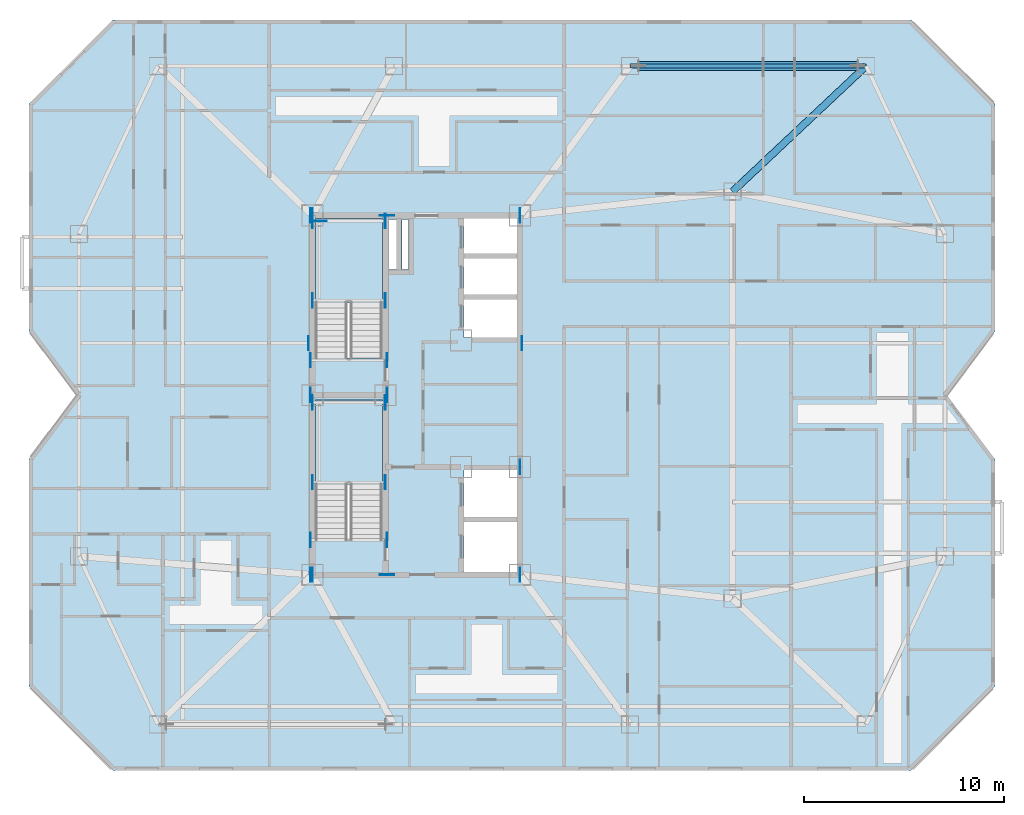
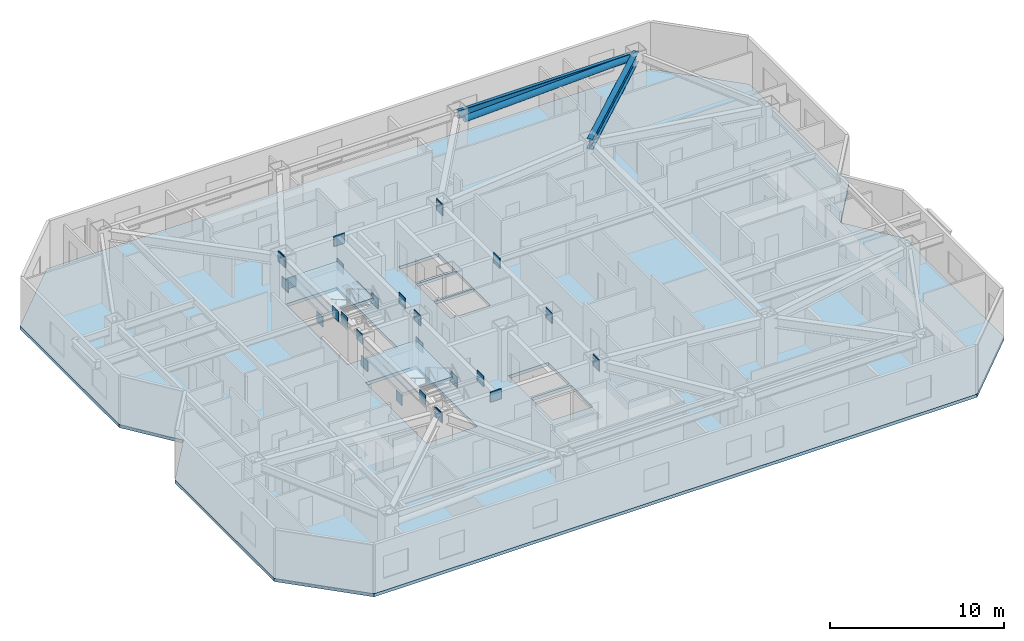
# One storey, part 2 of 13: 28 plates, 3 slabs, 2 beams, 1 member, 2 elements without a shape of their own.
"""IFC4 building model written with IfcOpenShell, lengths in metres."""

from ifc_helpers import new_model, si_unit, direction, frame, origin, origin_2d, place, context, subcontext, project, spatial, polyline, rectangle, hollow_circle, i_section, outline, extrude, material, layer, layer_set, material_profile, profile_set, type_object, element, aggregate, save


model = new_model("IFC4")

# Units and contexts
model_context = context("Model", 3, precision=1e-05, world=origin(), true_north=direction((0.0, 1.0)))
body_context = subcontext(model_context, "Body", "Model", "MODEL_VIEW")
ifc_project = project(units=[si_unit("LENGTHUNIT", "METRE"), si_unit("AREAUNIT", "SQUARE_METRE"), si_unit("VOLUMEUNIT", "CUBIC_METRE"), si_unit("PLANEANGLEUNIT", "RADIAN"), si_unit("MASSUNIT", "GRAM", prefix="KILO")], contexts=[model_context])

# Site, building, storey
site_placement = place(None, origin())
site = spatial("IfcSite", under=ifc_project, at=site_placement, CompositionType="ELEMENT")
building_placement = place(site_placement, origin())
building = spatial("IfcBuilding", under=site, at=building_placement, Name="Khamvora Tower", CompositionType="ELEMENT")
storey_placement = place(building_placement, frame((0.0, 0.0, 166.85009765625)))
storey = spatial("IfcBuildingStorey", under=building, at=storey_placement, Name="L42", CompositionType="ELEMENT", Elevation=166.85009765625)

# Beams
ifc_material_1 = material(Name="Steel S355", Category="steel")
ifc_material_profile_1 = material_profile(ifc_material_1, i_section(OverallWidth=0.35498046875, OverallDepth=0.695068359375, WebThickness=0.014892578125, FlangeThickness=0.02490234375, FilletRadius=0.01611328125, at=origin_2d()), Name="W690x217")
ifc_profile_set_1 = profile_set([ifc_material_profile_1], Name="Steel S355")
beam_type_1 = type_object("IfcBeamType", Name="BM-PG-W690x217", PredefinedType="BEAM", material=ifc_profile_set_1)
beam_1_placement = place(storey_placement, frame((50.050048828125, 38.199951171875, 3.0830078125), z_axis=(0.728513992294, 0.685030921224, 0.0), x_axis=(-0.685030921224, 0.728513992294, 0.0)))
element("IfcBeam", 1, at=beam_1_placement, inside=storey, type_object=beam_type_1, Name="L42 primary floor girder N4", PredefinedType="BEAM", context=body_context, shape_type="SweptSolid", body=[
    extrude(i_section(OverallWidth=0.35498046875, OverallDepth=0.695068359375, WebThickness=0.014892578125, FlangeThickness=0.02490234375, FilletRadius=0.01611328125, at=origin_2d()), origin(), (0.0, 0.0, 1.0), 9.19677734375),
])
ifc_material_profile_2 = material_profile(ifc_material_1, i_section(OverallWidth=0.2119140625, OverallDepth=0.5439453125, WebThickness=0.012939453125, FlangeThickness=0.02099609375, FilletRadius=0.013916015625, at=origin_2d()), Name="W530x123")
ifc_profile_set_2 = profile_set([ifc_material_profile_2], Name="Steel S355")
beam_type_2 = type_object("IfcBeamType", Name="BM-SP-W530x123", PredefinedType="SPANDREL", material=ifc_profile_set_2)
beam_2_placement = place(storey_placement, frame((56.75, 44.5, 3.157958984375), z_axis=(-1.0, 0.0, 0.0), x_axis=(0.0, -1.0, 0.0)))
element("IfcBeam", 2, at=beam_2_placement, inside=storey, type_object=beam_type_2, Name="L42 perimeter spandrel beam N4-N3", PredefinedType="SPANDREL", context=body_context, shape_type="SweptSolid", body=[
    extrude(i_section(OverallWidth=0.2119140625, OverallDepth=0.5439453125, WebThickness=0.012939453125, FlangeThickness=0.02099609375, FilletRadius=0.013916015625, at=origin_2d()), origin(), (0.0, 0.0, 1.0), 11.8330078125),
])

# Member
ifc_material_profile_3 = material_profile(ifc_material_1, hollow_circle(Radius=0.228515625, WallThickness=0.02001953125, at=origin_2d()), Name="CHS457x20")
ifc_profile_set_3 = profile_set([ifc_material_profile_3], Name="Steel S355")
member_type = type_object("IfcMemberType", Name="MEM-BR-CHS457", PredefinedType="BRACE", material=ifc_profile_set_3)
member_placement = place(storey_placement, frame((45.346923828125, 44.5, 2.697998046875), z_axis=(0.999175762718, 0.0, 0.040593043713), x_axis=(0.0, 1.0, 0.0)))
element("IfcMember", 3, at=member_placement, inside=storey, type_object=member_type, Name="L42 perimeter wind brace 2", PredefinedType="BRACE", context=body_context, shape_type="SweptSolid", body=[
    extrude(hollow_circle(Radius=0.228515625, WallThickness=0.02001953125, at=origin_2d()), origin(), (0.0, 0.0, 1.0), 10.982177734375),
])

# Plates
ifc_material_2 = material(Name="Steel S460", Category="steel")
ifc_layer_1 = layer(ifc_material_2, 0.034912109375)
ifc_layer_set_1 = layer_set([ifc_layer_1], Name="Steel S460")
plate_type = type_object("IfcPlateType", Name="PL-EMB-35", PredefinedType="SHEET", material=ifc_layer_set_1)
for number, where, z_axis, x_axis, name in (
    (4, (29.0, 23.635009765625, 1.1337890625), (0.0, 0.0, 1.0), (1.0, 0.0, 0.0), "L42 core shear wall cast-in embed plate 1226"),
    (5, (32.64990234375, 23.635009765625, 1.1337890625), (0.0, 0.0, 1.0), (1.0, 0.0, 0.0), "L42 core shear wall cast-in embed plate 1227"),
    (6, (29.0, 27.6298828125, 1.1337890625), (0.0, 0.0, 1.0), (1.0, 0.0, 0.0), "L42 core shear wall cast-in embed plate 1228"),
    (7, (32.64990234375, 27.6298828125, 1.1337890625), (0.0, 0.0, 1.0), (1.0, 0.0, 0.0), "L42 core shear wall cast-in embed plate 1229"),
    (8, (29.0, 32.735107421875, 1.1337890625), (0.0, 0.0, 1.0), (1.0, 0.0, 0.0), "L42 core shear wall cast-in embed plate 1230"),
    (9, (32.64990234375, 32.735107421875, 1.1337890625), (0.0, 0.0, 1.0), (1.0, 0.0, 0.0), "L42 core shear wall cast-in embed plate 1231"),
    (10, (29.0, 36.72998046875, 1.1337890625), (0.0, 0.0, 1.0), (1.0, 0.0, 0.0), "L42 core shear wall cast-in embed plate 1232"),
    (11, (32.64990234375, 36.72998046875, 1.1337890625), (0.0, 0.0, 1.0), (1.0, 0.0, 0.0), "L42 core shear wall cast-in embed plate 1233"),
):
    element("IfcPlate", number, at=place(storey_placement, frame(where, z_axis=z_axis, x_axis=x_axis)), inside=storey, type_object=plate_type, Name=name, PredefinedType="SHEET", context=body_context, shape_type="SweptSolid", body=[
        extrude(rectangle(XDim=0.034912109375, YDim=0.719970703125, at=origin_2d()), origin(), (0.0, 0.0, 1.0), 0.719970703125),
    ])
plate_1_placement = place(storey_placement, frame((29.35009765625, 36.72998046875, 1.1337890625), z_axis=(0.0, 0.0, 1.0), x_axis=(1.0, 0.0, 0.0)))
element("IfcPlate", 12, at=plate_1_placement, inside=storey, type_object=plate_type, Name="L42 core shear wall cast-in embed plate 1234", PredefinedType="SHEET", context=body_context, shape_type="SweptSolid", body=[
    extrude(rectangle(XDim=0.719970703125, YDim=0.034912109375, at=origin_2d()), origin(), (0.0, 0.0, 1.0), 0.719970703125),
])
for number, where, z_axis, x_axis, name in (
    (13, (29.0, 19.0, 2.72314453125), (0.0, 0.0, 1.0), (1.0, 0.0, 0.0), "L42 core shear wall cast-in embed plate 1235"),
    (14, (39.39990234375, 19.0, 2.72314453125), (0.0, 0.0, 1.0), (1.0, 0.0, 0.0), "L42 core shear wall cast-in embed plate 1236"),
    (15, (29.0, 37.0, 2.72314453125), (0.0, 0.0, 1.0), (1.0, 0.0, 0.0), "L42 core shear wall cast-in embed plate 1237"),
    (16, (39.39990234375, 37.0, 2.72314453125), (0.0, 0.0, 1.0), (1.0, 0.0, 0.0), "L42 core shear wall cast-in embed plate 1238"),
    (17, (28.89990234375, 19.0, 2.802734375), (0.0, 0.0, 1.0), (1.0, 0.0, 0.0), "L42 core shear wall cast-in embed plate 1239"),
    (18, (28.89990234375, 28.0, 2.802734375), (0.0, 0.0, 1.0), (1.0, 0.0, 0.0), "L42 core shear wall cast-in embed plate 1240"),
    (19, (28.89990234375, 37.0, 2.802734375), (0.0, 0.0, 1.0), (1.0, 0.0, 0.0), "L42 core shear wall cast-in embed plate 1241"),
):
    element("IfcPlate", number, at=place(storey_placement, frame(where, z_axis=z_axis, x_axis=x_axis)), inside=storey, type_object=plate_type, Name=name, PredefinedType="SHEET", context=body_context, shape_type="SweptSolid", body=[
        extrude(rectangle(XDim=0.034912109375, YDim=0.719970703125, at=origin_2d()), origin(), (0.0, 0.0, 1.0), 0.719970703125),
    ])
plate_2_placement = place(storey_placement, frame((32.72998046875, 19.0, 2.802734375), z_axis=(0.0, 0.0, 1.0), x_axis=(1.0, 0.0, 0.0)))
element("IfcPlate", 20, at=plate_2_placement, inside=storey, type_object=plate_type, Name="L42 core shear wall cast-in embed plate 1242", PredefinedType="SHEET", context=body_context, shape_type="SweptSolid", body=[
    extrude(rectangle(XDim=0.719970703125, YDim=0.034912109375, at=origin_2d()), origin(), (0.0, 0.0, 1.0), 0.719970703125),
])
plate_3_placement = place(storey_placement, frame((32.72998046875, 28.0, 2.802734375), z_axis=(0.0, 0.0, 1.0), x_axis=(1.0, 0.0, 0.0)))
element("IfcPlate", 21, at=plate_3_placement, inside=storey, type_object=plate_type, Name="L42 core shear wall cast-in embed plate 1243", PredefinedType="SHEET", context=body_context, shape_type="SweptSolid", body=[
    extrude(rectangle(XDim=0.034912109375, YDim=0.719970703125, at=origin_2d()), origin(), (0.0, 0.0, 1.0), 0.719970703125),
])
plate_4_placement = place(storey_placement, frame((32.72998046875, 37.0, 2.802734375), z_axis=(0.0, 0.0, 1.0), x_axis=(1.0, 0.0, 0.0)))
element("IfcPlate", 22, at=plate_4_placement, inside=storey, type_object=plate_type, Name="L42 core shear wall cast-in embed plate 1244", PredefinedType="SHEET", context=body_context, shape_type="SweptSolid", body=[
    extrude(rectangle(XDim=0.719970703125, YDim=0.034912109375, at=origin_2d()), origin(), (0.0, 0.0, 1.0), 0.719970703125),
])
for number, where, z_axis, x_axis, name in (
    (23, (39.39990234375, 19.0, 2.802734375), (0.0, 0.0, 1.0), (1.0, 0.0, 0.0), "L42 core shear wall cast-in embed plate 1245"),
    (24, (39.39990234375, 24.39990234375, 2.802734375), (0.0, 0.0, 1.0), (1.0, 0.0, 0.0), "L42 core shear wall cast-in embed plate 1246"),
    (25, (39.39990234375, 37.0, 2.802734375), (0.0, 0.0, 1.0), (1.0, 0.0, 0.0), "L42 core shear wall cast-in embed plate 1247"),
    (26, (28.89990234375, 20.75, 2.94384765625), (0.0, 0.0, 1.0), (1.0, 0.0, 0.0), "L42 core shear wall cast-in embed plate 1248"),
    (27, (32.72998046875, 20.75, 2.94384765625), (0.0, 0.0, 1.0), (1.0, 0.0, 0.0), "L42 core shear wall cast-in embed plate 1249"),
    (28, (28.89990234375, 29.75, 2.94384765625), (0.0, 0.0, 1.0), (1.0, 0.0, 0.0), "L42 core shear wall cast-in embed plate 1250"),
    (29, (32.72998046875, 29.75, 2.94384765625), (0.0, 0.0, 1.0), (1.0, 0.0, 0.0), "L42 core shear wall cast-in embed plate 1251"),
    (30, (28.800048828125, 30.60009765625, 2.86669921875), (0.0, 0.0, 1.0), (1.0, 0.0, 0.0), "L42 core shear wall cast-in embed plate 1252"),
    (31, (39.4990234375, 30.60009765625, 2.86669921875), (0.0, 0.0, 1.0), (1.0, 0.0, 0.0), "L42 core shear wall cast-in embed plate 1253"),
):
    element("IfcPlate", number, at=place(storey_placement, frame(where, z_axis=z_axis, x_axis=x_axis)), inside=storey, type_object=plate_type, Name=name, PredefinedType="SHEET", context=body_context, shape_type="SweptSolid", body=[
        extrude(rectangle(XDim=0.034912109375, YDim=0.719970703125, at=origin_2d()), origin(), (0.0, 0.0, 1.0), 0.719970703125),
    ])

# Stair, slab
ifc_material_3 = material(Name="Concrete C40/50", Category="concrete")
stair_type_1 = type_object("IfcStairType", Name="STR-ST-01", PredefinedType="HALF_TURN_STAIR", material=ifc_material_3)
stair_1_placement = place(storey_placement, origin())
stair_1 = element("IfcStair", 32, at=stair_1_placement, inside=storey, type_object=stair_type_1, Name="L42 South Tower Exit Stair ST-01", PredefinedType="HALF_TURN_STAIR")
ifc_layer_2 = layer(ifc_material_3, 0.199951171875)
ifc_layer_set_2 = layer_set([ifc_layer_2], Name="Concrete C40/50")
slab_type_1 = type_object("IfcSlabType", Name="SLB-LND-200", PredefinedType="LANDING", material=ifc_layer_set_2)
slab_1_placement = place(storey_placement, frame((0.0, 0.0, 1.625)))
slab_1 = element("IfcSlab", 33, at=slab_1_placement, type_object=slab_type_1, Name="ST-01 landing 1", PredefinedType="LANDING", context=body_context, shape_type="SweptSolid", body=[
    extrude(outline(polyline([(32.5, 23.514892578125), (32.5, 27.75), (29.14990234375, 27.75), (29.14990234375, 23.514892578125), (32.5, 23.514892578125)])), origin(), (0.0, 0.0, 1.0), 0.199951171875),
])
aggregate(stair_1, [slab_1])

stair_type_2 = type_object("IfcStairType", Name="STR-ST-02", PredefinedType="HALF_TURN_STAIR", material=ifc_material_3)
stair_2_placement = place(storey_placement, origin())
stair_2 = element("IfcStair", 34, at=stair_2_placement, inside=storey, type_object=stair_type_2, Name="L42 North Tower Exit Stair ST-02", PredefinedType="HALF_TURN_STAIR")
slab_2_placement = place(storey_placement, frame((0.0, 0.0, 1.625)))
slab_2 = element("IfcSlab", 35, at=slab_2_placement, type_object=slab_type_1, Name="ST-02 landing 1", PredefinedType="LANDING", context=body_context, shape_type="SweptSolid", body=[
    extrude(outline(polyline([(32.5, 32.614990234375), (32.5, 36.85009765625), (29.14990234375, 36.85009765625), (29.14990234375, 32.614990234375), (32.5, 32.614990234375)])), origin(), (0.0, 0.0, 1.0), 0.199951171875),
])
aggregate(stair_2, [slab_2])

# Slab
ifc_material_4 = material(Name="Concrete C35/45", Category="concrete")
ifc_layer_3 = layer(ifc_material_4, 0.219970703125)
ifc_layer_set_3 = layer_set([ifc_layer_3], Name="Concrete C35/45")
slab_type_2 = type_object("IfcSlabType", Name="SLB-TYP-220", PredefinedType="FLOOR", material=ifc_layer_set_3)
slab_3_placement = place(storey_placement, frame((0.0, 0.0, -0.22021484375)))
element("IfcSlab", 36, at=slab_3_placement, inside=storey, type_object=slab_type_2, Name="L42 structural floor slab", PredefinedType="FLOOR", context=body_context, shape_type="SweptSolid", body=[
    extrude(outline(polyline([(19.0, 9.199951171875), (59.0, 9.199951171875), (63.199951171875, 13.39990234375), (63.199951171875, 24.800048828125), (60.800048828125, 28.0), (63.199951171875, 31.199951171875), (63.199951171875, 42.60009765625), (59.0, 46.800048828125), (19.0, 46.800048828125), (14.800048828125, 42.60009765625), (14.800048828125, 31.199951171875), (17.199951171875, 28.0), (14.800048828125, 24.800048828125), (14.800048828125, 13.39990234375), (19.0, 9.199951171875)]), holes=[polyline([(32.5, 20.760009765625), (32.5, 27.75), (29.14990234375, 27.75), (29.14990234375, 20.760009765625), (32.5, 20.760009765625)]), polyline([(32.5, 29.860107421875), (32.5, 36.85009765625), (29.14990234375, 36.85009765625), (29.14990234375, 29.860107421875), (32.5, 29.860107421875)]), polyline([(36.60009765625, 19.14990234375), (39.25, 19.14990234375), (39.25, 21.64990234375), (36.60009765625, 21.64990234375), (36.60009765625, 19.14990234375)]), polyline([(36.60009765625, 21.800048828125), (39.25, 21.800048828125), (39.25, 24.25), (36.60009765625, 24.25), (36.60009765625, 21.800048828125)]), polyline([(36.60009765625, 30.89990234375), (39.25, 30.89990234375), (39.25, 32.800048828125), (36.60009765625, 32.800048828125), (36.60009765625, 30.89990234375)]), polyline([(36.60009765625, 32.949951171875), (39.25, 32.949951171875), (39.25, 34.85009765625), (36.60009765625, 34.85009765625), (36.60009765625, 32.949951171875)]), polyline([(36.60009765625, 35.0), (39.25, 35.0), (39.25, 36.85009765625), (36.60009765625, 36.85009765625), (36.60009765625, 35.0)]), polyline([(32.800048828125, 34.300048828125), (33.199951171875, 34.300048828125), (33.199951171875, 36.800048828125), (32.800048828125, 36.800048828125), (32.800048828125, 34.300048828125)]), polyline([(33.47998046875, 34.300048828125), (33.820068359375, 34.300048828125), (33.820068359375, 36.800048828125), (33.47998046875, 36.800048828125), (33.47998046875, 34.300048828125)])]), origin(), (0.0, 0.0, 1.0), 0.22021484375),
])

save(model, "model.ifc")
